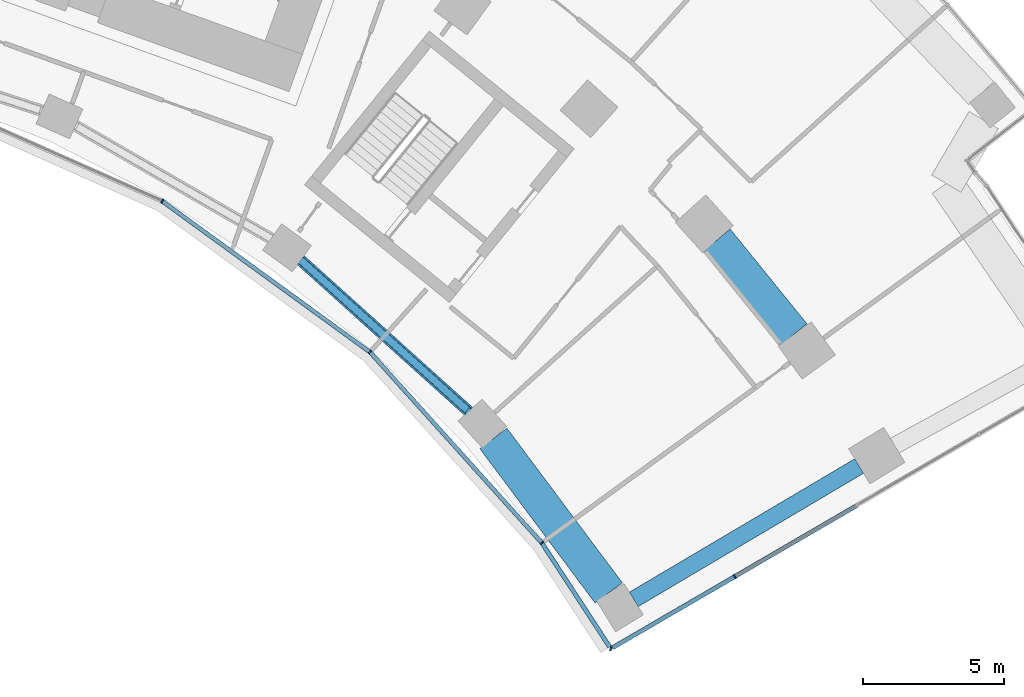
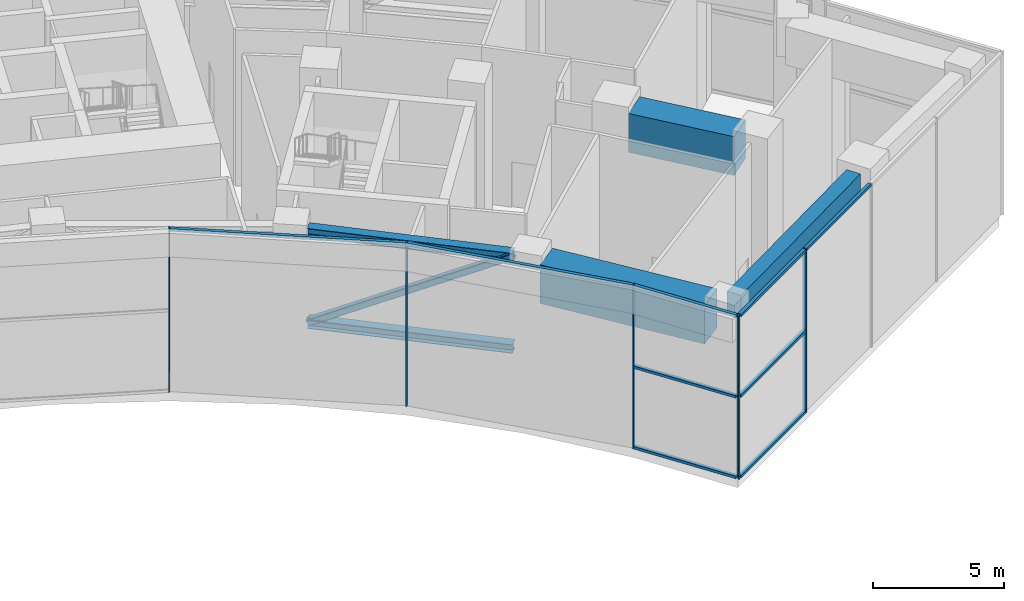
# One storey, part 9 of 30: 17 members, 3 beams, 2 elements without a shape of their own.
"""IFC4 building model written with IfcOpenShell, lengths in metres."""

from ifc_helpers import new_model, si_unit, direction, frame, origin, origin_2d, place, context, subcontext, project, spatial, rectangle, hollow_rectangle, i_section, extrude, material, layer, layer_set, material_profile, profile_set, type_object, element, aggregate, save


model = new_model("IFC4")

# Units and contexts
model_context = context("Model", 3, precision=1e-05, world=origin(), true_north=direction((0.0, 1.0)))
body_context = subcontext(model_context, "Body", "Model", "MODEL_VIEW")
ifc_project = project(units=[si_unit("LENGTHUNIT", "METRE"), si_unit("AREAUNIT", "SQUARE_METRE"), si_unit("VOLUMEUNIT", "CUBIC_METRE"), si_unit("PLANEANGLEUNIT", "RADIAN"), si_unit("MASSUNIT", "GRAM", prefix="KILO")], contexts=[model_context])

# Site, building, storey
site_placement = place(None, origin())
site = spatial("IfcSite", under=ifc_project, at=site_placement, CompositionType="ELEMENT")
building_placement = place(site_placement, origin())
building = spatial("IfcBuilding", under=site, at=building_placement, Name="Stone Belt Terrace Tower", CompositionType="ELEMENT")
storey_placement = place(building_placement, frame((0.0, 0.0, 136.39990234375)))
storey = spatial("IfcBuildingStorey", under=building, at=storey_placement, Name="L33", CompositionType="ELEMENT", Elevation=136.39990234375)

# Members
ifc_material_1 = material(Name="Structural steel C345", Category="steel")
ifc_material_profile_1 = material_profile(ifc_material_1, i_section(OverallWidth=0.39990234375, OverallDepth=0.39990234375, WebThickness=0.012939453125, FlangeThickness=0.02099609375, at=origin_2d()), Name="I 40K2")
ifc_profile_set_1 = profile_set([ifc_material_profile_1], Name="Structural steel C345")
member_type_1 = type_object("IfcMemberType", Name="Belt chord I 40K2", PredefinedType="CHORD", material=ifc_profile_set_1)
for number, where, z_axis, x_axis, name in (
    (1, (26.60986328125, 35.519287109375, 7.050048828125), (0.743151209872, -0.669123515702, 0.0), (0.669123515702, 0.743151209872, 0.0), "Belt truss T2 ring P top chord 8"),
    (2, (26.60986328125, 35.519287109375, 2.800048828125), (0.743151209872, -0.669123515702, 0.0), (0.669123515702, 0.743151209872, 0.0), "Belt truss T2 ring P bot chord 8"),
):
    element("IfcMember", number, at=place(storey_placement, frame(where, z_axis=z_axis, x_axis=x_axis)), inside=storey, type_object=member_type_1, Name=name, PredefinedType="CHORD", context=body_context, shape_type="SweptSolid", body=[
        extrude(i_section(OverallWidth=0.39990234375, OverallDepth=0.39990234375, WebThickness=0.012939453125, FlangeThickness=0.02099609375, at=origin_2d()), origin(), (0.0, 0.0, 1.0), 7.984375),
    ])
ifc_material_profile_2 = material_profile(ifc_material_1, hollow_rectangle(XDim=0.300048828125, YDim=0.300048828125, WallThickness=0.01611328125, InnerFilletRadius=0.031982421875, OuterFilletRadius=0.048095703125, at=origin_2d()), Name="SHS 300x300x16")
ifc_profile_set_2 = profile_set([ifc_material_profile_2], Name="Structural steel C345")
member_type_2 = type_object("IfcMemberType", Name="Belt diagonal SHS 300x300x16", PredefinedType="BRACE", material=ifc_profile_set_2)
member_1_placement = place(storey_placement, frame((26.60986328125, 35.519287109375, 2.800048828125), z_axis=(0.656005631566, -0.59065879014, 0.469871051444), x_axis=(0.669123515702, 0.743151209872, 0.0)))
element("IfcMember", 3, at=member_1_placement, inside=storey, type_object=member_type_2, Name="Belt truss T2 ring P diagonal 8", PredefinedType="BRACE", context=body_context, shape_type="SweptSolid", body=[
    extrude(hollow_rectangle(XDim=0.300048828125, YDim=0.300048828125, WallThickness=0.01611328125, InnerFilletRadius=0.031982421875, OuterFilletRadius=0.048095703125, at=origin_2d()), origin(), (0.0, 0.0, 1.0), 9.044921875),
])

# Curtain wall, members
ifc_material_2 = material(Name="Aluminium 6063-T6 anodised frame", Category="aluminium")
ifc_layer_1 = layer(ifc_material_2, 0.14990234375)
ifc_layer_set_1 = layer_set([ifc_layer_1], Name="CW-B unitised concave-face curtain wall")
curtain_wall_type_1 = type_object("IfcCurtainWallType", Name="CW-B unitised concave-face curtain wall", PredefinedType="NOTDEFINED", material=ifc_layer_set_1)
curtain_wall_1_placement = place(storey_placement, origin())
curtain_wall_1 = element("IfcCurtainWall", 4, at=curtain_wall_1_placement, inside=storey, type_object=curtain_wall_type_1, Name="CW-B concave face L33", PredefinedType="NOTDEFINED")
ifc_material_profile_3 = material_profile(ifc_material_2, rectangle(XDim=0.14990234375, YDim=0.050048828125, at=origin_2d()), Name="Aluminium 6063-T6 50x150")
ifc_profile_set_3 = profile_set([ifc_material_profile_3], Name="Aluminium 6063-T6 anodised frame")
member_type_3 = type_object("IfcMemberType", Name="CW-B mullion 50 x 150", PredefinedType="MULLION", material=ifc_profile_set_3)
member_2_placement = place(storey_placement, frame((21.71240234375, 37.606689453125, 0.0), z_axis=(0.0, 0.0, 1.0), x_axis=(0.5, 0.866025403784, 0.0)))
member_2 = element("IfcMember", 5, at=member_2_placement, type_object=member_type_3, Name="CW-B mullion 8", PredefinedType="MULLION", context=body_context, shape_type="SweptSolid", body=[
    extrude(rectangle(XDim=0.14990234375, YDim=0.050048828125, at=origin_2d()), origin(), (0.0, 0.0, 1.0), 7.60009765625),
])
member_3_placement = place(storey_placement, frame((29.056640625, 32.270751953125, 0.0), z_axis=(0.0, 0.0, 1.0), x_axis=(0.669130606359, 0.743144825477, 0.0)))
member_3 = element("IfcMember", 6, at=member_3_placement, type_object=member_type_3, Name="CW-B mullion 9", PredefinedType="MULLION", context=body_context, shape_type="SweptSolid", body=[
    extrude(rectangle(XDim=0.14990234375, YDim=0.050048828125, at=origin_2d()), origin(), (0.0, 0.0, 1.0), 7.60009765625),
])
member_4_placement = place(storey_placement, frame((35.132568359375, 25.522705078125, 0.0), z_axis=(0.0, 0.0, 1.0), x_axis=(0.792811047542, 0.609467507662, 0.0)))
member_4 = element("IfcMember", 7, at=member_4_placement, type_object=member_type_3, Name="CW-B mullion 10", PredefinedType="MULLION", context=body_context, shape_type="SweptSolid", body=[
    extrude(rectangle(XDim=0.14990234375, YDim=0.050048828125, at=origin_2d()), origin(), (0.0, 0.0, 1.0), 7.60009765625),
])
ifc_material_profile_4 = material_profile(ifc_material_2, rectangle(XDim=0.14990234375, YDim=0.1201171875, at=origin_2d()), Name="Aluminium 6063-T6 150x120")
ifc_profile_set_4 = profile_set([ifc_material_profile_4], Name="Aluminium 6063-T6 anodised frame")
member_type_4 = type_object("IfcMemberType", Name="CW-B transom 120 x 150", PredefinedType="USERDEFINED", material=ifc_profile_set_4)
member_5_placement = place(storey_placement, frame((21.73876953125, 37.587646484375, 7.5400390625), z_axis=(0.809015952818, -0.58778668587, 0.0), x_axis=(0.58778668587, 0.809015952818, 0.0)))
member_5 = element("IfcMember", 8, at=member_5_placement, type_object=member_type_4, Name="CW-B transom 8.1", ObjectType="TRANSOM", PredefinedType="USERDEFINED", context=body_context, shape_type="SweptSolid", body=[
    extrude(rectangle(XDim=0.14990234375, YDim=0.1201171875, at=origin_2d()), origin(), (0.0, 0.0, 1.0), 9.0126953125),
])
member_6_placement = place(storey_placement, frame((29.07861328125, 32.246337890625, 7.5400390625), z_axis=(0.669138241486, -0.743137950707, 0.0), x_axis=(0.743137950707, 0.669138241486, 0.0)))
member_6 = element("IfcMember", 9, at=member_6_placement, type_object=member_type_4, Name="CW-B transom 9.1", ObjectType="TRANSOM", PredefinedType="USERDEFINED", context=body_context, shape_type="SweptSolid", body=[
    extrude(rectangle(XDim=0.14990234375, YDim=0.1201171875, at=origin_2d()), origin(), (0.0, 0.0, 1.0), 9.016845703125),
])
member_7_placement = place(storey_placement, frame((35.1494140625, 25.4970703125, 0.06005859375), z_axis=(0.546136356084, -0.83769629375, 0.0), x_axis=(0.83769629375, 0.546136356084, 0.0)))
member_7 = element("IfcMember", 10, at=member_7_placement, type_object=member_type_4, Name="CW-B transom 10.1", ObjectType="TRANSOM", PredefinedType="USERDEFINED", context=body_context, shape_type="SweptSolid", body=[
    extrude(rectangle(XDim=0.14990234375, YDim=0.1201171875, at=origin_2d()), origin(), (0.0, 0.0, 1.0), 4.363525390625),
])
member_8_placement = place(storey_placement, frame((35.1494140625, 25.4970703125, 3.800048828125), z_axis=(0.546136356084, -0.83769629375, 0.0), x_axis=(0.83769629375, 0.546136356084, 0.0)))
member_8 = element("IfcMember", 11, at=member_8_placement, type_object=member_type_4, Name="CW-B transom 10.2", ObjectType="TRANSOM", PredefinedType="USERDEFINED", context=body_context, shape_type="SweptSolid", body=[
    extrude(rectangle(XDim=0.14990234375, YDim=0.1201171875, at=origin_2d()), origin(), (0.0, 0.0, 1.0), 4.363525390625),
])
member_9_placement = place(storey_placement, frame((35.1494140625, 25.4970703125, 7.5400390625), z_axis=(0.546136356084, -0.83769629375, 0.0), x_axis=(0.83769629375, 0.546136356084, 0.0)))
member_9 = element("IfcMember", 12, at=member_9_placement, type_object=member_type_4, Name="CW-B transom 10.3", ObjectType="TRANSOM", PredefinedType="USERDEFINED", context=body_context, shape_type="SweptSolid", body=[
    extrude(rectangle(XDim=0.14990234375, YDim=0.1201171875, at=origin_2d()), origin(), (0.0, 0.0, 1.0), 4.363525390625),
])
aggregate(curtain_wall_1, [member_2, member_3, member_4, member_5, member_6, member_7, member_8, member_9])

ifc_layer_2 = layer(ifc_material_2, 0.14990234375)
ifc_layer_set_2 = layer_set([ifc_layer_2], Name="CW-C stick curtain wall, horn ends and notches")
curtain_wall_type_2 = type_object("IfcCurtainWallType", Name="CW-C stick curtain wall, horn ends and notches", PredefinedType="NOTDEFINED", material=ifc_layer_set_2)
curtain_wall_2_placement = place(storey_placement, origin())
curtain_wall_2 = element("IfcCurtainWall", 13, at=curtain_wall_2_placement, inside=storey, type_object=curtain_wall_type_2, Name="CW-C end face L33", PredefinedType="NOTDEFINED")
ifc_material_profile_5 = material_profile(ifc_material_2, rectangle(XDim=0.14990234375, YDim=0.06005859375, at=origin_2d()), Name="Aluminium 6063-T6 60x150")
ifc_profile_set_5 = profile_set([ifc_material_profile_5], Name="Aluminium 6063-T6 anodised frame")
member_type_5 = type_object("IfcMemberType", Name="CW-C mullion 60 x 150", PredefinedType="MULLION", material=ifc_profile_set_5)
member_10_placement = place(storey_placement, frame((37.570556640625, 21.783447265625, 0.0), z_axis=(0.0, 0.0, 1.0), x_axis=(0.230847440535, 0.972989958426, 0.0)))
member_10 = element("IfcMember", 14, at=member_10_placement, type_object=member_type_5, Name="CW-C mullion 1", PredefinedType="MULLION", context=body_context, shape_type="SweptSolid", body=[
    extrude(rectangle(XDim=0.14990234375, YDim=0.06005859375, at=origin_2d()), origin(), (0.0, 0.0, 1.0), 7.60009765625),
])
member_11_placement = place(storey_placement, frame((41.953369140625, 24.334716796875, 0.0), z_axis=(0.0, 0.0, 1.0), x_axis=(-0.503080901861, 0.864239322284, 0.0)))
member_11 = element("IfcMember", 15, at=member_11_placement, type_object=member_type_5, Name="CW-C mullion 2", PredefinedType="MULLION", context=body_context, shape_type="SweptSolid", body=[
    extrude(rectangle(XDim=0.14990234375, YDim=0.06005859375, at=origin_2d()), origin(), (0.0, 0.0, 1.0), 7.60009765625),
])
ifc_material_profile_6 = material_profile(ifc_material_2, rectangle(XDim=0.14990234375, YDim=0.1201171875, at=origin_2d()), Name="Aluminium 6063-T6 150x120")
ifc_profile_set_6 = profile_set([ifc_material_profile_6], Name="Aluminium 6063-T6 anodised frame")
member_type_6 = type_object("IfcMemberType", Name="CW-C transom 120 x 150", PredefinedType="USERDEFINED", material=ifc_profile_set_6)
member_12_placement = place(storey_placement, frame((37.634033203125, 21.8203125, 0.06005859375), z_axis=(0.864238402529, 0.5030824819, 0.0), x_axis=(-0.5030824819, 0.864238402529, 0.0)))
member_12 = element("IfcMember", 16, at=member_12_placement, type_object=member_type_6, Name="CW-C transom 1.1", ObjectType="TRANSOM", PredefinedType="USERDEFINED", context=body_context, shape_type="SweptSolid", body=[
    extrude(rectangle(XDim=0.14990234375, YDim=0.1201171875, at=origin_2d()), origin(), (0.0, 0.0, 1.0), 4.968017578125),
])
member_13_placement = place(storey_placement, frame((37.634033203125, 21.8203125, 3.800048828125), z_axis=(0.864238402529, 0.5030824819, 0.0), x_axis=(-0.5030824819, 0.864238402529, 0.0)))
member_13 = element("IfcMember", 17, at=member_13_placement, type_object=member_type_6, Name="CW-C transom 1.2", ObjectType="TRANSOM", PredefinedType="USERDEFINED", context=body_context, shape_type="SweptSolid", body=[
    extrude(rectangle(XDim=0.14990234375, YDim=0.1201171875, at=origin_2d()), origin(), (0.0, 0.0, 1.0), 4.968017578125),
])
member_14_placement = place(storey_placement, frame((37.634033203125, 21.8203125, 7.5400390625), z_axis=(0.864238402529, 0.5030824819, 0.0), x_axis=(-0.5030824819, 0.864238402529, 0.0)))
member_14 = element("IfcMember", 18, at=member_14_placement, type_object=member_type_6, Name="CW-C transom 1.3", ObjectType="TRANSOM", PredefinedType="USERDEFINED", context=body_context, shape_type="SweptSolid", body=[
    extrude(rectangle(XDim=0.14990234375, YDim=0.1201171875, at=origin_2d()), origin(), (0.0, 0.0, 1.0), 4.968017578125),
])
member_15_placement = place(storey_placement, frame((41.979248046875, 24.349609375, 7.5400390625), z_axis=(0.864224887357, 0.503105698708, 0.0), x_axis=(-0.503105698708, 0.864224887357, 0.0)))
member_15 = element("IfcMember", 19, at=member_15_placement, type_object=member_type_6, Name="CW-C transom 2.1", ObjectType="TRANSOM", PredefinedType="USERDEFINED", context=body_context, shape_type="SweptSolid", body=[
    extrude(rectangle(XDim=0.14990234375, YDim=0.1201171875, at=origin_2d()), origin(), (0.0, 0.0, 1.0), 4.93994140625),
])
aggregate(curtain_wall_2, [member_10, member_11, member_12, member_13, member_14, member_15])

# Beams
ifc_material_3 = material(Name="Concrete B60", Category="concrete")
ifc_material_profile_7 = material_profile(ifc_material_3, rectangle(XDim=0.60009765625, YDim=0.89990234375, at=origin_2d()), Name="RC 600x900")
ifc_profile_set_7 = profile_set([ifc_material_profile_7], Name="Concrete B60")
beam_type_1 = type_object("IfcBeamType", Name="Edge beam RC 600x900 B60", PredefinedType="SPANDREL", material=ifc_profile_set_7)
beam_1_placement = place(storey_placement, frame((38.3828125, 23.52783203125, 6.800048828125), z_axis=(0.860646513691, 0.509202885372, 0.0), x_axis=(-0.509202885372, 0.860646513691, 0.0)))
element("IfcBeam", 20, at=beam_1_placement, inside=storey, type_object=beam_type_1, Name="Edge beam L33 B P to Q", PredefinedType="SPANDREL", context=body_context, shape_type="SweptSolid", body=[
    extrude(rectangle(XDim=0.60009765625, YDim=0.89990234375, at=origin_2d()), origin(), (0.0, 0.0, 1.0), 9.255859375),
])
ifc_material_4 = material(Name="Concrete B80", Category="concrete")
ifc_material_profile_8 = material_profile(ifc_material_4, rectangle(XDim=1.199951171875, YDim=1.800048828125, at=origin_2d()), Name="RC 1200x1800")
ifc_profile_set_8 = profile_set([ifc_material_profile_8], Name="Concrete B80")
beam_type_2 = type_object("IfcBeamType", Name="Transfer girder RC 1200x1800 B80", PredefinedType="BEAM", material=ifc_profile_set_8)
beam_2_placement = place(storey_placement, frame((33.419677734375, 29.216552734375, 6.35009765625), z_axis=(0.598456700005, -0.801155152401, 0.0), x_axis=(0.801155152401, 0.598456700005, 0.0)))
element("IfcBeam", 21, at=beam_2_placement, inside=storey, type_object=beam_type_2, Name="Transfer beam L33 PP30-PB", PredefinedType="BEAM", context=body_context, shape_type="SweptSolid", body=[
    extrude(rectangle(XDim=1.199951171875, YDim=1.800048828125, at=origin_2d()), origin(), (0.0, 0.0, 1.0), 6.8134765625),
])
beam_3_placement = place(storey_placement, frame((41.329833984375, 36.238037109375, 6.35009765625), z_axis=(0.62931078752, -0.777153738144, 0.0), x_axis=(0.777153738144, 0.62931078752, 0.0)))
element("IfcBeam", 22, at=beam_3_placement, inside=storey, type_object=beam_type_2, Name="Transfer beam L33 QQ30-Q31", PredefinedType="BEAM", context=body_context, shape_type="SweptSolid", body=[
    extrude(rectangle(XDim=1.199951171875, YDim=1.800048828125, at=origin_2d()), origin(), (0.0, 0.0, 1.0), 4.30517578125),
])

save(model, "model.ifc")
